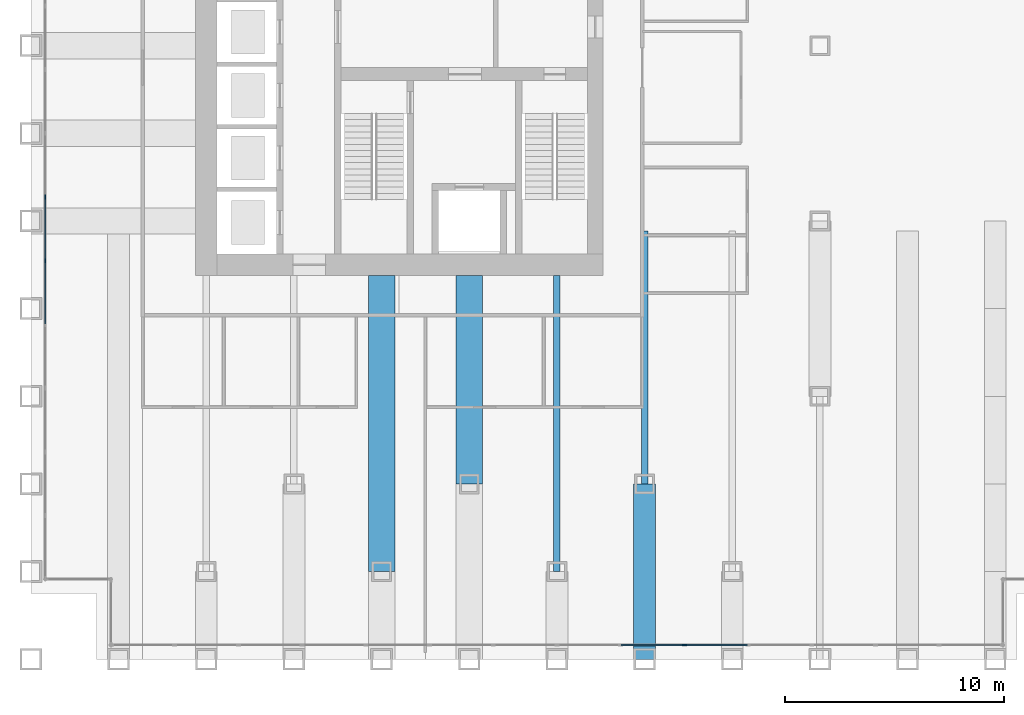
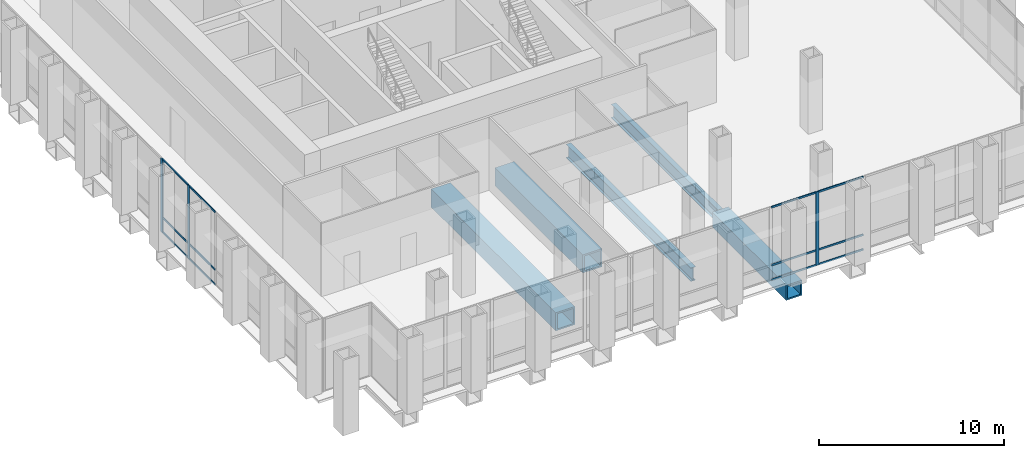
# One storey, part 3 of 16: 15 members, 5 beams, 2 elements without a shape of their own.
"""IFC4 building model written with IfcOpenShell, lengths in metres."""

from ifc_helpers import new_model, si_unit, direction, frame, origin, origin_2d, place, context, subcontext, project, spatial, rectangle, hollow_rectangle, i_section, extrude, material, material_profile, profile_set, type_object, element, aggregate, save


model = new_model("IFC4")

# Units and contexts
model_context = context("Model", 3, precision=1e-05, world=origin(), true_north=direction((0.0, 1.0)))
body_context = subcontext(model_context, "Body", "Model", "MODEL_VIEW")
ifc_project = project(units=[si_unit("LENGTHUNIT", "METRE"), si_unit("AREAUNIT", "SQUARE_METRE"), si_unit("VOLUMEUNIT", "CUBIC_METRE"), si_unit("PLANEANGLEUNIT", "RADIAN"), si_unit("MASSUNIT", "GRAM", prefix="KILO")], contexts=[model_context])

# Site, building, storey
site_placement = place(None, origin())
site = spatial("IfcSite", under=ifc_project, at=site_placement, CompositionType="ELEMENT")
building_placement = place(site_placement, origin())
building = spatial("IfcBuilding", under=site, at=building_placement, Name="Rimbunsela Tower", CompositionType="ELEMENT")
storey_placement = place(building_placement, frame((0.0, 0.0, 76.39990234375)))
storey = spatial("IfcBuildingStorey", under=building, at=storey_placement, Name="L18", CompositionType="ELEMENT", Elevation=76.39990234375)

# Beams
ifc_material_1 = material(Name="Steel BJ 55 (fy 410 MPa)", Category="steel")
ifc_material_profile_1 = material_profile(ifc_material_1, hollow_rectangle(XDim=1.0, YDim=1.0, WallThickness=0.10009765625, at=origin_2d()), Name="BOX 1000x1000x100")
ifc_profile_set_1 = profile_set([ifc_material_profile_1], Name="Steel BJ 55 (fy 410 MPa)")
beam_type_1 = type_object("IfcBeamType", Name="Beam BOX 1000x1000x100", PredefinedType="BEAM", material=ifc_profile_set_1)
beam_1_placement = place(storey_placement, frame((38.0, 0.0, -0.64990234375), z_axis=(0.0, 1.0, 0.0), x_axis=(-1.0, 0.0, 0.0)))
element("IfcBeam", 1, at=beam_1_placement, inside=storey, type_object=beam_type_1, Name="Beam B3 L18", PredefinedType="BEAM", context=body_context, shape_type="SweptSolid", body=[
    extrude(hollow_rectangle(XDim=1.0, YDim=1.0, WallThickness=0.10009765625, at=origin_2d()), origin(), (0.0, 0.0, 1.0), 8.0),
])
ifc_material_2 = material(Name="Steel BJ 55 (fy 410 MPa)", Category="steel")
ifc_material_profile_2 = material_profile(ifc_material_2, hollow_rectangle(XDim=1.199951171875, YDim=1.199951171875, WallThickness=0.10009765625, at=origin_2d()), Name="BOX 1200x1200x100")
ifc_profile_set_2 = profile_set([ifc_material_profile_2], Name="Steel BJ 55 (fy 410 MPa)")
beam_type_2 = type_object("IfcBeamType", Name="Beam BOX 1200x1200x100", PredefinedType="BEAM", material=ifc_profile_set_2)
beam_2_placement = place(storey_placement, frame((26.0, 4.0, -0.75), z_axis=(0.0, 1.0, 0.0), x_axis=(-1.0, 0.0, 0.0)))
element("IfcBeam", 2, at=beam_2_placement, inside=storey, type_object=beam_type_2, Name="Beam B5 L18", PredefinedType="BEAM", context=body_context, shape_type="SweptSolid", body=[
    extrude(hollow_rectangle(XDim=1.199951171875, YDim=1.199951171875, WallThickness=0.10009765625, at=origin_2d()), origin(), (0.0, 0.0, 1.0), 13.5),
])
beam_3_placement = place(storey_placement, frame((30.0, 8.0, -0.75), z_axis=(0.0, 1.0, 0.0), x_axis=(-1.0, 0.0, 0.0)))
element("IfcBeam", 3, at=beam_3_placement, inside=storey, type_object=beam_type_2, Name="Beam B5 L18", PredefinedType="BEAM", context=body_context, shape_type="SweptSolid", body=[
    extrude(hollow_rectangle(XDim=1.199951171875, YDim=1.199951171875, WallThickness=0.10009765625, at=origin_2d()), origin(), (0.0, 0.0, 1.0), 9.5),
])
ifc_material_3 = material(Name="Steel BJ 55 (fy 410 MPa)", Category="steel")
ifc_material_profile_3 = material_profile(ifc_material_3, i_section(OverallWidth=0.300048828125, OverallDepth=0.89990234375, WebThickness=0.01611328125, FlangeThickness=0.028076171875, FilletRadius=0.028076171875, at=origin_2d()), Name="H 900x300x16x28")
ifc_profile_set_3 = profile_set([ifc_material_profile_3], Name="Steel BJ 55 (fy 410 MPa)")
beam_type_3 = type_object("IfcBeamType", Name="Beam H 900x300x16x28", PredefinedType="BEAM", material=ifc_profile_set_3)
beam_4_placement = place(storey_placement, frame((34.0, 4.0, -0.599853515625), z_axis=(0.0, 1.0, 0.0), x_axis=(-1.0, 0.0, 0.0)))
element("IfcBeam", 4, at=beam_4_placement, inside=storey, type_object=beam_type_3, Name="Beam B2 L18", PredefinedType="BEAM", context=body_context, shape_type="SweptSolid", body=[
    extrude(i_section(OverallWidth=0.300048828125, OverallDepth=0.89990234375, WebThickness=0.01611328125, FlangeThickness=0.028076171875, FilletRadius=0.028076171875, at=origin_2d()), origin(), (0.0, 0.0, 1.0), 13.5),
])
beam_5_placement = place(storey_placement, frame((38.0, 8.0, -0.599853515625), z_axis=(0.0, 1.0, 0.0), x_axis=(-1.0, 0.0, 0.0)))
element("IfcBeam", 5, at=beam_5_placement, inside=storey, type_object=beam_type_3, Name="Beam B2 L18", PredefinedType="BEAM", context=body_context, shape_type="SweptSolid", body=[
    extrude(i_section(OverallWidth=0.300048828125, OverallDepth=0.89990234375, WebThickness=0.01611328125, FlangeThickness=0.028076171875, FilletRadius=0.028076171875, at=origin_2d()), origin(), (0.0, 0.0, 1.0), 11.550048828125),
])

# Curtain wall, members
ifc_material_4 = material(Name="Aluminium curtain wall", Category="aluminium")
curtain_wall_type = type_object("IfcCurtainWallType", Name="Sky lobby glazing", PredefinedType="USERDEFINED", material=ifc_material_4)
curtain_wall_1_placement = place(storey_placement, origin())
curtain_wall_1 = element("IfcCurtainWall", 6, at=curtain_wall_1_placement, inside=storey, type_object=curtain_wall_type, Name="Sky lobby glazing L18", ObjectType="SKY LOBBY GLAZING", PredefinedType="USERDEFINED")
ifc_material_5 = material(Name="Aluminium mullion", Category="aluminium")
ifc_material_profile_4 = material_profile(ifc_material_5, rectangle(XDim=0.06005859375, YDim=0.199951171875, at=origin_2d()), Name="Mullion 60x200")
ifc_profile_set_4 = profile_set([ifc_material_profile_4], Name="Aluminium mullion")
member_type_1 = type_object("IfcMemberType", Name="Curtain wall mullion 60x200", PredefinedType="MULLION", material=ifc_profile_set_4)
member_1_placement = place(storey_placement, frame((10.64990234375, 21.0927734375, 0.0), z_axis=(0.0, 0.0, 1.0), x_axis=(1.0, 0.0, 0.0)))
member_1 = element("IfcMember", 7, at=member_1_placement, type_object=member_type_1, Name="CW4 mullion 9", PredefinedType="MULLION", context=body_context, shape_type="SweptSolid", body=[
    extrude(rectangle(XDim=0.06005859375, YDim=0.199951171875, at=origin_2d()), origin(), (0.0, 0.0, 1.0), 4.85009765625),
])
member_2_placement = place(storey_placement, frame((10.64990234375, 18.185791015625, 0.0), z_axis=(0.0, 0.0, 1.0), x_axis=(1.0, 0.0, 0.0)))
member_2 = element("IfcMember", 8, at=member_2_placement, type_object=member_type_1, Name="CW4 mullion 10", PredefinedType="MULLION", context=body_context, shape_type="SweptSolid", body=[
    extrude(rectangle(XDim=0.06005859375, YDim=0.199951171875, at=origin_2d()), origin(), (0.0, 0.0, 1.0), 4.85009765625),
])

# Curtain wall, member
curtain_wall_2_placement = place(storey_placement, origin())
curtain_wall_2 = element("IfcCurtainWall", 9, at=curtain_wall_2_placement, inside=storey, type_object=curtain_wall_type, Name="Sky lobby glazing L18", ObjectType="SKY LOBBY GLAZING", PredefinedType="USERDEFINED")
member_3_placement = place(storey_placement, frame((39.814208984375, 0.64990234375, 0.0), z_axis=(0.0, 0.0, 1.0), x_axis=(0.0, 1.0, 0.0)))
member_3 = element("IfcMember", 10, at=member_3_placement, type_object=member_type_1, Name="CW4 mullion 10", PredefinedType="MULLION", context=body_context, shape_type="SweptSolid", body=[
    extrude(rectangle(XDim=0.06005859375, YDim=0.199951171875, at=origin_2d()), origin(), (0.0, 0.0, 1.0), 4.85009765625),
])

# Member
ifc_material_6 = material(Name="Aluminium transom", Category="aluminium")
ifc_material_profile_5 = material_profile(ifc_material_6, rectangle(XDim=0.06005859375, YDim=0.1201171875, at=origin_2d()), Name="Transom 60x120")
ifc_profile_set_5 = profile_set([ifc_material_profile_5], Name="Aluminium transom")
member_type_2 = type_object("IfcMemberType", Name="Curtain wall transom 60x120", PredefinedType="USERDEFINED", material=ifc_profile_set_5)
member_4_placement = place(storey_placement, frame((10.64990234375, 21.062744140625, 0.030029296875), z_axis=(0.0, -1.0, 0.0), x_axis=(1.0, 0.0, 0.0)))
member_4 = element("IfcMember", 11, at=member_4_placement, type_object=member_type_2, Name="CW4 transom 9.1", ObjectType="TRANSOM", PredefinedType="USERDEFINED", context=body_context, shape_type="SweptSolid", body=[
    extrude(rectangle(XDim=0.06005859375, YDim=0.1201171875, at=origin_2d()), origin(), (0.0, 0.0, 1.0), 2.846923828125),
])

member_5_placement = place(storey_placement, frame((10.64990234375, 21.062744140625, 1.0), z_axis=(0.0, -1.0, 0.0), x_axis=(1.0, 0.0, 0.0)))
member_5 = element("IfcMember", 12, at=member_5_placement, type_object=member_type_2, Name="CW4 transom 9.2", ObjectType="TRANSOM", PredefinedType="USERDEFINED", context=body_context, shape_type="SweptSolid", body=[
    extrude(rectangle(XDim=0.06005859375, YDim=0.1201171875, at=origin_2d()), origin(), (0.0, 0.0, 1.0), 2.846923828125),
])

member_6_placement = place(storey_placement, frame((10.64990234375, 21.062744140625, 4.820068359375), z_axis=(0.0, -1.0, 0.0), x_axis=(1.0, 0.0, 0.0)))
member_6 = element("IfcMember", 13, at=member_6_placement, type_object=member_type_2, Name="CW4 transom 9.3", ObjectType="TRANSOM", PredefinedType="USERDEFINED", context=body_context, shape_type="SweptSolid", body=[
    extrude(rectangle(XDim=0.06005859375, YDim=0.1201171875, at=origin_2d()), origin(), (0.0, 0.0, 1.0), 2.846923828125),
])

member_7_placement = place(storey_placement, frame((10.64990234375, 18.15576171875, 0.030029296875), z_axis=(0.0, -1.0, 0.0), x_axis=(1.0, 0.0, 0.0)))
member_7 = element("IfcMember", 14, at=member_7_placement, type_object=member_type_2, Name="CW4 transom 10.1", ObjectType="TRANSOM", PredefinedType="USERDEFINED", context=body_context, shape_type="SweptSolid", body=[
    extrude(rectangle(XDim=0.06005859375, YDim=0.1201171875, at=origin_2d()), origin(), (0.0, 0.0, 1.0), 2.84716796875),
])

member_8_placement = place(storey_placement, frame((10.64990234375, 18.15576171875, 1.0), z_axis=(0.0, -1.0, 0.0), x_axis=(1.0, 0.0, 0.0)))
member_8 = element("IfcMember", 15, at=member_8_placement, type_object=member_type_2, Name="CW4 transom 10.2", ObjectType="TRANSOM", PredefinedType="USERDEFINED", context=body_context, shape_type="SweptSolid", body=[
    extrude(rectangle(XDim=0.06005859375, YDim=0.1201171875, at=origin_2d()), origin(), (0.0, 0.0, 1.0), 2.84716796875),
])

member_9_placement = place(storey_placement, frame((10.64990234375, 18.15576171875, 4.820068359375), z_axis=(0.0, -1.0, 0.0), x_axis=(1.0, 0.0, 0.0)))
member_9 = element("IfcMember", 16, at=member_9_placement, type_object=member_type_2, Name="CW4 transom 10.3", ObjectType="TRANSOM", PredefinedType="USERDEFINED", context=body_context, shape_type="SweptSolid", body=[
    extrude(rectangle(XDim=0.06005859375, YDim=0.1201171875, at=origin_2d()), origin(), (0.0, 0.0, 1.0), 2.84716796875),
])

aggregate(curtain_wall_1, [member_1, member_2, member_4, member_5, member_6, member_7, member_8, member_9])

member_10_placement = place(storey_placement, frame((36.937255859375, 0.64990234375, 0.030029296875), z_axis=(1.0, 0.0, 0.0), x_axis=(0.0, 1.0, 0.0)))
member_10 = element("IfcMember", 17, at=member_10_placement, type_object=member_type_2, Name="CW4 transom 9.1", ObjectType="TRANSOM", PredefinedType="USERDEFINED", context=body_context, shape_type="SweptSolid", body=[
    extrude(rectangle(XDim=0.06005859375, YDim=0.1201171875, at=origin_2d()), origin(), (0.0, 0.0, 1.0), 2.846923828125),
])

member_11_placement = place(storey_placement, frame((36.937255859375, 0.64990234375, 1.0), z_axis=(1.0, 0.0, 0.0), x_axis=(0.0, 1.0, 0.0)))
member_11 = element("IfcMember", 18, at=member_11_placement, type_object=member_type_2, Name="CW4 transom 9.2", ObjectType="TRANSOM", PredefinedType="USERDEFINED", context=body_context, shape_type="SweptSolid", body=[
    extrude(rectangle(XDim=0.06005859375, YDim=0.1201171875, at=origin_2d()), origin(), (0.0, 0.0, 1.0), 2.846923828125),
])

member_12_placement = place(storey_placement, frame((36.937255859375, 0.64990234375, 4.820068359375), z_axis=(1.0, 0.0, 0.0), x_axis=(0.0, 1.0, 0.0)))
member_12 = element("IfcMember", 19, at=member_12_placement, type_object=member_type_2, Name="CW4 transom 9.3", ObjectType="TRANSOM", PredefinedType="USERDEFINED", context=body_context, shape_type="SweptSolid", body=[
    extrude(rectangle(XDim=0.06005859375, YDim=0.1201171875, at=origin_2d()), origin(), (0.0, 0.0, 1.0), 2.846923828125),
])

member_13_placement = place(storey_placement, frame((39.84423828125, 0.64990234375, 0.030029296875), z_axis=(1.0, 0.0, 0.0), x_axis=(0.0, 1.0, 0.0)))
member_13 = element("IfcMember", 20, at=member_13_placement, type_object=member_type_2, Name="CW4 transom 10.1", ObjectType="TRANSOM", PredefinedType="USERDEFINED", context=body_context, shape_type="SweptSolid", body=[
    extrude(rectangle(XDim=0.06005859375, YDim=0.1201171875, at=origin_2d()), origin(), (0.0, 0.0, 1.0), 2.84716796875),
])

member_14_placement = place(storey_placement, frame((39.84423828125, 0.64990234375, 1.0), z_axis=(1.0, 0.0, 0.0), x_axis=(0.0, 1.0, 0.0)))
member_14 = element("IfcMember", 21, at=member_14_placement, type_object=member_type_2, Name="CW4 transom 10.2", ObjectType="TRANSOM", PredefinedType="USERDEFINED", context=body_context, shape_type="SweptSolid", body=[
    extrude(rectangle(XDim=0.06005859375, YDim=0.1201171875, at=origin_2d()), origin(), (0.0, 0.0, 1.0), 2.84716796875),
])

member_15_placement = place(storey_placement, frame((39.84423828125, 0.64990234375, 4.820068359375), z_axis=(1.0, 0.0, 0.0), x_axis=(0.0, 1.0, 0.0)))
member_15 = element("IfcMember", 22, at=member_15_placement, type_object=member_type_2, Name="CW4 transom 10.3", ObjectType="TRANSOM", PredefinedType="USERDEFINED", context=body_context, shape_type="SweptSolid", body=[
    extrude(rectangle(XDim=0.06005859375, YDim=0.1201171875, at=origin_2d()), origin(), (0.0, 0.0, 1.0), 2.84716796875),
])

aggregate(curtain_wall_2, [member_3, member_10, member_11, member_12, member_13, member_14, member_15])

save(model, "model.ifc")
